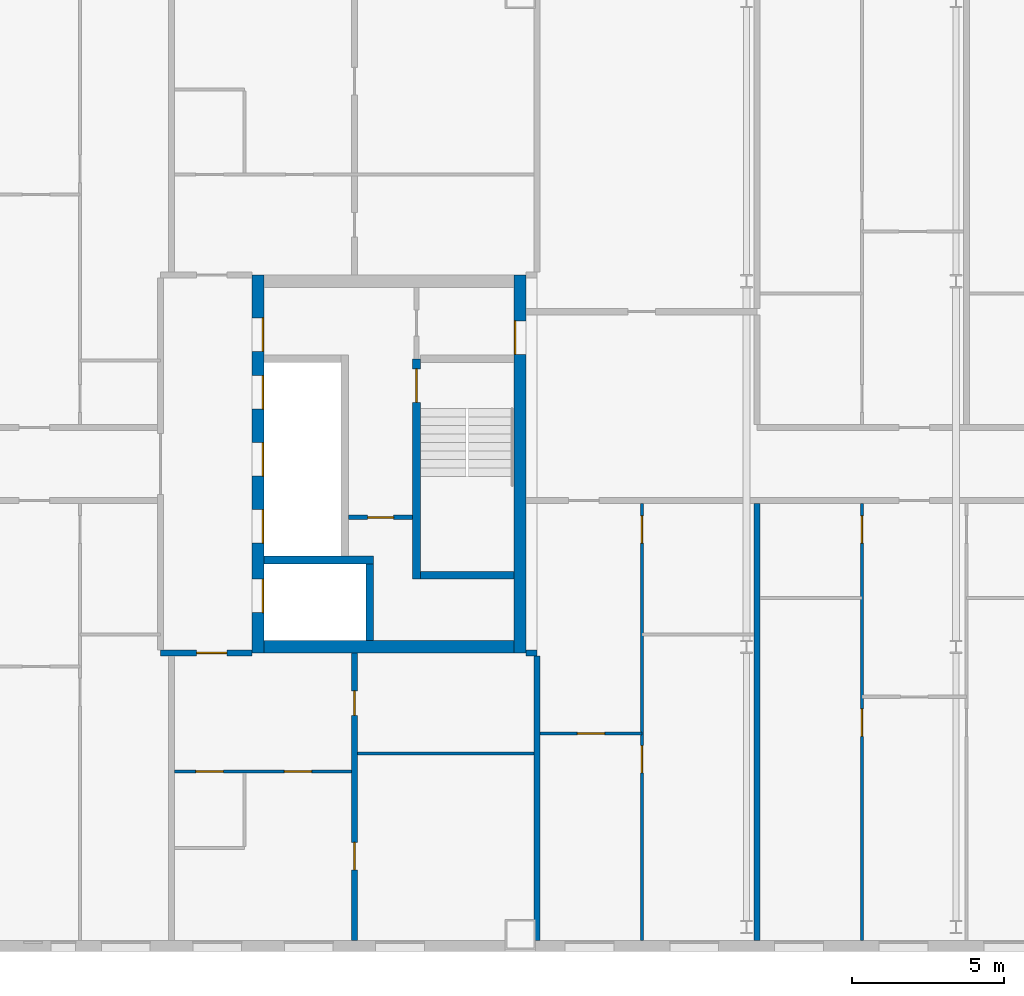
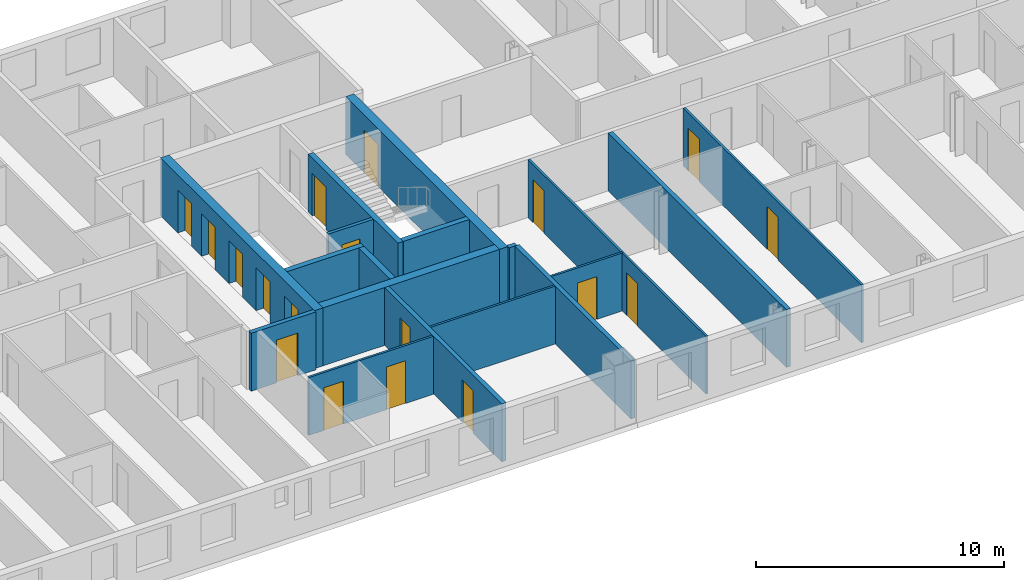
# One storey, part 8 of 19: 18 doors, 18 walls, 18 openings.
"""IFC4 building model written with IfcOpenShell, lengths in metres."""

from ifc_helpers import new_model, si_unit, direction, frame, frame_2d, origin, place, context, subcontext, project, spatial, rectangle, extrude, material, layer, layer_set, type_object, element, fill, save


model = new_model("IFC4")

# Units and contexts
model_context = context("Model", 3, precision=1e-05, world=origin(), true_north=direction((0.0, 1.0)))
body_context = subcontext(model_context, "Body", "Model", "MODEL_VIEW")
ifc_project = project(units=[si_unit("LENGTHUNIT", "METRE"), si_unit("AREAUNIT", "SQUARE_METRE"), si_unit("VOLUMEUNIT", "CUBIC_METRE"), si_unit("PLANEANGLEUNIT", "RADIAN"), si_unit("MASSUNIT", "GRAM", prefix="KILO")], contexts=[model_context])

# Site, building, storey
site_placement = place(None, origin())
site = spatial("IfcSite", under=ifc_project, at=site_placement, CompositionType="ELEMENT")
building_placement = place(site_placement, origin())
building = spatial("IfcBuilding", under=site, at=building_placement, Name="Tuart Gate Housing", CompositionType="ELEMENT")
storey_placement = place(building_placement, frame((0.0, 0.0, 227.60009765625)))
storey = spatial("IfcBuildingStorey", under=building, at=storey_placement, Name="L64", CompositionType="ELEMENT", Elevation=227.60009765625)

# Wall, opening, door
ifc_material_1 = material(Name="Plasterboard partition")
ifc_layer_1 = layer(ifc_material_1, 0.14990234375)
ifc_layer_set_1 = layer_set([ifc_layer_1], Name="Core partition 150")
wall_type_1 = type_object("IfcWallType", Name="Core partition 150", PredefinedType="PARTITIONING", material=ifc_layer_set_1)
wall_1_placement = place(storey_placement, frame((69.81494140625, 68.25, 0.0), z_axis=(0.0, 0.0, 1.0), x_axis=(1.0, 0.0, 0.0)))
wall_1 = element("IfcWall", 1, at=wall_1_placement, inside=storey, type_object=wall_type_1, Name="Core partition AG.3", PredefinedType="PARTITIONING", context=body_context, shape_type="SweptSolid", body=[
    extrude(rectangle(XDim=2.10009765625, YDim=0.14990234375, at=frame_2d((1.050048828125, 0.0))), origin(), (0.0, 0.0, 1.0), 2.849853515625),
])
opening_1_placement = place(wall_1_placement, frame((0.625, 0.0, 0.0)))
opening_1 = element("IfcOpeningElement", 2, at=opening_1_placement, cuts=wall_1, Name="Opening D2311", PredefinedType="OPENING", context=body_context, shape_type="SweptSolid", body=[
    extrude(rectangle(XDim=0.85009765625, YDim=2.10009765625, at=frame_2d((0.425048828125, 1.050048828125))), frame((0.0, 0.0849609375, 0.0), z_axis=(0.0, -1.0, 0.0), x_axis=(1.0, 0.0, 0.0)), (0.0, 0.0, 1.0), 0.169921875),
])
ifc_material_2 = material(Name="Steel fire door", Category="steel")
door_type_1 = type_object("IfcDoorType", Name="Riser door 850 x 2100 RH", OperationType="SINGLE_SWING_RIGHT", PredefinedType="DOOR", material=ifc_material_2)
door_1_placement = place(opening_1_placement, frame((0.85009765625, 0.0, 0.0), z_axis=(0.0, 0.0, 1.0), x_axis=(-1.0, 0.0, 0.0)))
door_1 = element("IfcDoor", 3, at=door_1_placement, inside=storey, type_object=door_type_1, Name="Service room door AG.E1", OperationType="SINGLE_SWING_RIGHT", OverallHeight=2.10009765625, OverallWidth=0.85009765625, PredefinedType="DOOR", context=body_context, shape_type="SweptSolid", body=[
    extrude(rectangle(XDim=0.85009765625, YDim=2.10009765625, at=frame_2d((0.425048828125, 1.050048828125))), frame((0.0, 0.025146484375, 0.0), z_axis=(0.0, -1.0, 0.0), x_axis=(1.0, 0.0, 0.0)), (0.0, 0.0, 1.0), 0.050048828125),
])
fill(opening_1, door_1)

# Walls
ifc_material_3 = material(Name="Concrete C40", Category="concrete")
ifc_layer_2 = layer(ifc_material_3, 0.25)
ifc_layer_set_2 = layer_set([ifc_layer_2], Name="Core wall 250 C40")
wall_type_2 = type_object("IfcWallType", Name="Core wall 250 C40", PredefinedType="SHEAR", material=ifc_layer_set_2)
wall_2_placement = place(storey_placement, frame((72.1650390625, 66.35009765625, 0.0), z_axis=(0.0, 0.0, 1.0), x_axis=(1.0, 0.0, 0.0)))
element("IfcWall", 4, at=wall_2_placement, inside=storey, type_object=wall_type_2, Name="Core wall AG.1", PredefinedType="SHEAR", context=body_context, shape_type="SweptSolid", body=[
    extrude(rectangle(XDim=3.074951171875, YDim=0.25, at=frame_2d((1.53759765625, 0.0))), origin(), (0.0, 0.0, 1.0), 2.849853515625),
])
wall_3_placement = place(storey_placement, frame((67.0400390625, 66.85009765625, 0.0), z_axis=(0.0, 0.0, 1.0), x_axis=(1.0, 0.0, 0.0)))
element("IfcWall", 5, at=wall_3_placement, inside=storey, type_object=wall_type_2, Name="Core wall AG.2", PredefinedType="SHEAR", context=body_context, shape_type="SweptSolid", body=[
    extrude(rectangle(XDim=3.594970703125, YDim=0.25, at=frame_2d((1.79736328125, 0.0))), origin(), (0.0, 0.0, 1.0), 2.849853515625),
])
wall_4_placement = place(storey_placement, frame((70.510009765625, 64.199951171875, 0.0), z_axis=(0.0, 0.0, 1.0), x_axis=(0.0, 1.0, 0.0)))
element("IfcWall", 6, at=wall_4_placement, inside=storey, type_object=wall_type_2, Name="Core wall AG.7", PredefinedType="SHEAR", context=body_context, shape_type="SweptSolid", body=[
    extrude(rectangle(XDim=2.525146484375, YDim=0.25, at=frame_2d((1.2626953125, 0.0))), origin(), (0.0, 0.0, 1.0), 2.849853515625),
])

# Wall, opening, door
wall_5_placement = place(storey_placement, frame((72.0400390625, 66.22509765625, 0.0), z_axis=(0.0, 0.0, 1.0), x_axis=(0.0, 1.0, 0.0)))
wall_5 = element("IfcWall", 7, at=wall_5_placement, inside=storey, type_object=wall_type_2, Name="Core wall AG.8", PredefinedType="SHEAR", context=body_context, shape_type="SweptSolid", body=[
    extrude(rectangle(XDim=7.224853515625, YDim=0.25, at=frame_2d((3.6123046875, 0.0))), origin(), (0.0, 0.0, 1.0), 2.849853515625),
])
opening_2_placement = place(wall_5_placement, frame((5.800048828125, 0.0, 0.0)))
opening_2 = element("IfcOpeningElement", 8, at=opening_2_placement, cuts=wall_5, Name="Opening D2307", PredefinedType="OPENING", context=body_context, shape_type="SweptSolid", body=[
    extrude(rectangle(XDim=1.10009765625, YDim=2.10009765625, at=frame_2d((0.550048828125, 1.050048828125))), frame((0.0, 0.135009765625, 0.0), z_axis=(0.0, -1.0, 0.0), x_axis=(1.0, 0.0, 0.0)), (0.0, 0.0, 1.0), 0.27001953125),
])
ifc_material_4 = material(Name="Steel fire door", Category="steel")
door_type_2 = type_object("IfcDoorType", Name="Stair door 1100 x 2100", OperationType="SINGLE_SWING_LEFT", PredefinedType="DOOR", material=ifc_material_4)
door_2_placement = place(opening_2_placement, frame((1.10009765625, 0.0, 0.0), z_axis=(0.0, 0.0, 1.0), x_axis=(-1.0, 0.0, 0.0)))
door_2 = element("IfcDoor", 9, at=door_2_placement, inside=storey, type_object=door_type_2, Name="Stair door AG.SD", OperationType="SINGLE_SWING_LEFT", OverallHeight=2.10009765625, OverallWidth=1.10009765625, PredefinedType="DOOR", context=body_context, shape_type="SweptSolid", body=[
    extrude(rectangle(XDim=1.10009765625, YDim=2.10009765625, at=frame_2d((0.550048828125, 1.050048828125))), frame((0.0, 0.025146484375, 0.0), z_axis=(0.0, -1.0, 0.0), x_axis=(1.0, 0.0, 0.0)), (0.0, 0.0, 1.0), 0.050048828125),
])
fill(opening_2, door_2)

# Wall, openings, doors
ifc_material_5 = material(Name="Concrete C40", Category="concrete")
ifc_layer_3 = layer(ifc_material_5, 0.39990234375)
ifc_layer_set_3 = layer_set([ifc_layer_3], Name="Core wall 400 C40")
wall_type_3 = type_object("IfcWallType", Name="Core wall 400 C40", PredefinedType="SHEAR", material=ifc_layer_set_3)
wall_6_placement = place(storey_placement, frame((66.840087890625, 63.800048828125, 0.0), z_axis=(0.0, 0.0, 1.0), x_axis=(0.0, 1.0, 0.0)))
wall_6 = element("IfcWall", 10, at=wall_6_placement, inside=storey, type_object=wall_type_3, Name="Core wall AG front", PredefinedType="SHEAR", context=body_context, shape_type="SweptSolid", body=[
    extrude(rectangle(XDim=12.39990234375, YDim=0.39990234375, at=frame_2d((6.199951171875, 0.0))), origin(), (0.0, 0.0, 1.0), 2.849853515625),
])
opening_3_placement = place(wall_6_placement, frame((1.324951171875, 0.0, 0.0)))
opening_3 = element("IfcOpeningElement", 11, at=opening_3_placement, cuts=wall_6, Name="Opening LD-FA1", PredefinedType="OPENING", context=body_context, shape_type="SweptSolid", body=[
    extrude(rectangle(XDim=1.10009765625, YDim=2.10009765625, at=frame_2d((0.550048828125, 1.050048828125))), frame((0.0, 0.2099609375, 0.0), z_axis=(0.0, -1.0, 0.0), x_axis=(1.0, 0.0, 0.0)), (0.0, 0.0, 1.0), 0.419921875),
])
opening_4_placement = place(wall_6_placement, frame((3.60009765625, 0.0, 0.0)))
opening_4 = element("IfcOpeningElement", 12, at=opening_4_placement, cuts=wall_6, Name="Opening LD-LA1", PredefinedType="OPENING", context=body_context, shape_type="SweptSolid", body=[
    extrude(rectangle(XDim=1.10009765625, YDim=2.10009765625, at=frame_2d((0.550048828125, 1.050048828125))), frame((0.0, 0.2099609375, 0.0), z_axis=(0.0, -1.0, 0.0), x_axis=(1.0, 0.0, 0.0)), (0.0, 0.0, 1.0), 0.419921875),
])
opening_5_placement = place(wall_6_placement, frame((5.800048828125, 0.0, 0.0)))
opening_5 = element("IfcOpeningElement", 13, at=opening_5_placement, cuts=wall_6, Name="Opening LD-LA2", PredefinedType="OPENING", context=body_context, shape_type="SweptSolid", body=[
    extrude(rectangle(XDim=1.10009765625, YDim=2.10009765625, at=frame_2d((0.550048828125, 1.050048828125))), frame((0.0, 0.2099609375, 0.0), z_axis=(0.0, -1.0, 0.0), x_axis=(1.0, 0.0, 0.0)), (0.0, 0.0, 1.0), 0.419921875),
])
opening_6_placement = place(wall_6_placement, frame((8.0, 0.0, 0.0)))
opening_6 = element("IfcOpeningElement", 14, at=opening_6_placement, cuts=wall_6, Name="Opening LD-LA3", PredefinedType="OPENING", context=body_context, shape_type="SweptSolid", body=[
    extrude(rectangle(XDim=1.10009765625, YDim=2.10009765625, at=frame_2d((0.550048828125, 1.050048828125))), frame((0.0, 0.2099609375, 0.0), z_axis=(0.0, -1.0, 0.0), x_axis=(1.0, 0.0, 0.0)), (0.0, 0.0, 1.0), 0.419921875),
])
opening_7_placement = place(wall_6_placement, frame((9.89990234375, 0.0, 0.0)))
opening_7 = element("IfcOpeningElement", 15, at=opening_7_placement, cuts=wall_6, Name="Opening D2305", PredefinedType="OPENING", context=body_context, shape_type="SweptSolid", body=[
    extrude(rectangle(XDim=1.10009765625, YDim=2.10009765625, at=frame_2d((0.550048828125, 1.050048828125))), frame((0.0, 0.2099609375, 0.0), z_axis=(0.0, -1.0, 0.0), x_axis=(1.0, 0.0, 0.0)), (0.0, 0.0, 1.0), 0.419921875),
])
ifc_material_6 = material(Name="Stainless steel", Category="steel")
door_type_3 = type_object("IfcDoorType", Name="Landing door 1100 x 2100", OperationType="DOUBLE_DOOR_SLIDING", PredefinedType="DOOR", material=ifc_material_6)
door_3_placement = place(opening_3_placement, origin())
door_3 = element("IfcDoor", 16, at=door_3_placement, inside=storey, type_object=door_type_3, Name="Lift landing door FA1", OperationType="DOUBLE_DOOR_SLIDING", OverallHeight=2.10009765625, OverallWidth=1.10009765625, PredefinedType="DOOR", context=body_context, shape_type="SweptSolid", body=[
    extrude(rectangle(XDim=1.10009765625, YDim=2.10009765625, at=frame_2d((0.550048828125, 1.050048828125))), frame((0.0, -0.134765625, 0.0), z_axis=(0.0, -1.0, 0.0), x_axis=(1.0, 0.0, 0.0)), (0.0, 0.0, 1.0), 0.050048828125),
])
fill(opening_3, door_3)
door_4_placement = place(opening_4_placement, origin())
door_4 = element("IfcDoor", 17, at=door_4_placement, inside=storey, type_object=door_type_3, Name="Lift landing door LA1", OperationType="DOUBLE_DOOR_SLIDING", OverallHeight=2.10009765625, OverallWidth=1.10009765625, PredefinedType="DOOR", context=body_context, shape_type="SweptSolid", body=[
    extrude(rectangle(XDim=1.10009765625, YDim=2.10009765625, at=frame_2d((0.550048828125, 1.050048828125))), frame((0.0, -0.134765625, 0.0), z_axis=(0.0, -1.0, 0.0), x_axis=(1.0, 0.0, 0.0)), (0.0, 0.0, 1.0), 0.050048828125),
])
fill(opening_4, door_4)
door_5_placement = place(opening_5_placement, origin())
door_5 = element("IfcDoor", 18, at=door_5_placement, inside=storey, type_object=door_type_3, Name="Lift landing door LA2", OperationType="DOUBLE_DOOR_SLIDING", OverallHeight=2.10009765625, OverallWidth=1.10009765625, PredefinedType="DOOR", context=body_context, shape_type="SweptSolid", body=[
    extrude(rectangle(XDim=1.10009765625, YDim=2.10009765625, at=frame_2d((0.550048828125, 1.050048828125))), frame((0.0, -0.134765625, 0.0), z_axis=(0.0, -1.0, 0.0), x_axis=(1.0, 0.0, 0.0)), (0.0, 0.0, 1.0), 0.050048828125),
])
fill(opening_5, door_5)
door_6_placement = place(opening_6_placement, origin())
door_6 = element("IfcDoor", 19, at=door_6_placement, inside=storey, type_object=door_type_3, Name="Lift landing door LA3", OperationType="DOUBLE_DOOR_SLIDING", OverallHeight=2.10009765625, OverallWidth=1.10009765625, PredefinedType="DOOR", context=body_context, shape_type="SweptSolid", body=[
    extrude(rectangle(XDim=1.10009765625, YDim=2.10009765625, at=frame_2d((0.550048828125, 1.050048828125))), frame((0.0, -0.134765625, 0.0), z_axis=(0.0, -1.0, 0.0), x_axis=(1.0, 0.0, 0.0)), (0.0, 0.0, 1.0), 0.050048828125),
])
fill(opening_6, door_6)
ifc_material_7 = material(Name="Steel fire door", Category="steel")
door_type_4 = type_object("IfcDoorType", Name="Lobby door 1100 x 2100 RH", OperationType="SINGLE_SWING_RIGHT", PredefinedType="DOOR", material=ifc_material_7)
door_7_placement = place(opening_7_placement, frame((1.10009765625, 0.0, 0.0), z_axis=(0.0, 0.0, 1.0), x_axis=(-1.0, 0.0, 0.0)))
door_7 = element("IfcDoor", 20, at=door_7_placement, inside=storey, type_object=door_type_4, Name="Lobby entry door AG.EN", OperationType="SINGLE_SWING_RIGHT", OverallHeight=2.10009765625, OverallWidth=1.10009765625, PredefinedType="DOOR", context=body_context, shape_type="SweptSolid", body=[
    extrude(rectangle(XDim=1.10009765625, YDim=2.10009765625, at=frame_2d((0.550048828125, 1.050048828125))), frame((0.0, 0.184814453125, 0.0), z_axis=(0.0, -1.0, 0.0), x_axis=(1.0, 0.0, 0.0)), (0.0, 0.0, 1.0), 0.050048828125),
])
fill(opening_7, door_7)

# Wall, opening, door
wall_7_placement = place(storey_placement, frame((75.43994140625, 63.800048828125, 0.0), z_axis=(0.0, 0.0, 1.0), x_axis=(0.0, 1.0, 0.0)))
wall_7 = element("IfcWall", 21, at=wall_7_placement, inside=storey, type_object=wall_type_3, Name="Core wall AG back", PredefinedType="SHEAR", context=body_context, shape_type="SweptSolid", body=[
    extrude(rectangle(XDim=12.39990234375, YDim=0.39990234375, at=frame_2d((6.199951171875, 0.0))), origin(), (0.0, 0.0, 1.0), 2.849853515625),
])
opening_8_placement = place(wall_7_placement, frame((9.800048828125, 0.0, 0.0)))
opening_8 = element("IfcOpeningElement", 22, at=opening_8_placement, cuts=wall_7, Name="Opening D2306", PredefinedType="OPENING", context=body_context, shape_type="SweptSolid", body=[
    extrude(rectangle(XDim=1.10009765625, YDim=2.10009765625, at=frame_2d((0.550048828125, 1.050048828125))), frame((0.0, 0.2099609375, 0.0), z_axis=(0.0, -1.0, 0.0), x_axis=(1.0, 0.0, 0.0)), (0.0, 0.0, 1.0), 0.419921875),
])
ifc_material_8 = material(Name="Steel fire door", Category="steel")
door_type_5 = type_object("IfcDoorType", Name="Lobby door 1100 x 2100", OperationType="SINGLE_SWING_LEFT", PredefinedType="DOOR", material=ifc_material_8)
door_8_placement = place(opening_8_placement, origin())
door_8 = element("IfcDoor", 23, at=door_8_placement, inside=storey, type_object=door_type_5, Name="Link door AG.LK", OperationType="SINGLE_SWING_LEFT", OverallHeight=2.10009765625, OverallWidth=1.10009765625, PredefinedType="DOOR", context=body_context, shape_type="SweptSolid", body=[
    extrude(rectangle(XDim=1.10009765625, YDim=2.10009765625, at=frame_2d((0.550048828125, 1.050048828125))), frame((0.0, 0.18505859375, 0.0), z_axis=(0.0, -1.0, 0.0), x_axis=(1.0, 0.0, 0.0)), (0.0, 0.0, 1.0), 0.050048828125),
])
fill(opening_8, door_8)

# Wall
wall_8_placement = place(storey_placement, frame((67.0400390625, 64.0, 0.0), z_axis=(0.0, 0.0, 1.0), x_axis=(1.0, 0.0, 0.0)))
element("IfcWall", 24, at=wall_8_placement, inside=storey, type_object=wall_type_3, Name="Core wall AG south", PredefinedType="SHEAR", context=body_context, shape_type="SweptSolid", body=[
    extrude(rectangle(XDim=8.199951171875, YDim=0.39990234375, at=frame_2d((4.10009765625, 0.0))), origin(), (0.0, 0.0, 1.0), 2.849853515625),
])

# Wall, opening, door
ifc_material_9 = material(Name="Concrete masonry 15 MPa", Category="masonry")
ifc_layer_4 = layer(ifc_material_9, 0.199951171875)
ifc_layer_set_4 = layer_set([ifc_layer_4], Name="Enclosure wall masonry 200")
wall_type_4 = type_object("IfcWallType", Name="Enclosure wall masonry 200", PredefinedType="PARTITIONING", material=ifc_layer_set_4)
wall_9_placement = place(storey_placement, frame((63.639892578125, 63.800048828125, 0.0), z_axis=(0.0, 0.0, 1.0), x_axis=(1.0, 0.0, 0.0)))
wall_9 = element("IfcWall", 25, at=wall_9_placement, inside=storey, type_object=wall_type_4, Name="Enclosure wall masonry 200", PredefinedType="PARTITIONING", context=body_context, shape_type="SweptSolid", body=[
    extrude(rectangle(XDim=3.0, YDim=0.199951171875, at=frame_2d((1.5, 0.0))), origin(), (0.0, 0.0, 1.0), 2.849853515625),
])
opening_9_placement = place(wall_9_placement, frame((1.179931640625, 0.0, 0.0)))
opening_9 = element("IfcOpeningElement", 26, at=opening_9_placement, cuts=wall_9, Name="Opening D2314", PredefinedType="OPENING", context=body_context, shape_type="SweptSolid", body=[
    extrude(rectangle(XDim=1.0, YDim=2.10009765625, at=frame_2d((0.5, 1.050048828125))), frame((0.0, 0.10986328125, 0.0), z_axis=(0.0, -1.0, 0.0), x_axis=(1.0, 0.0, 0.0)), (0.0, 0.0, 1.0), 0.219970703125),
])
ifc_material_10 = material(Name="Timber door leaf in steel frame", Category="steel")
door_type_6 = type_object("IfcDoorType", Name="Flat entrance door 1000 RH", OperationType="SINGLE_SWING_RIGHT", PredefinedType="DOOR", material=ifc_material_10)
door_9_placement = place(opening_9_placement, frame((1.0, 0.0, 0.0), z_axis=(0.0, 0.0, 1.0), x_axis=(-1.0, 0.0, 0.0)))
door_9 = element("IfcDoor", 27, at=door_9_placement, inside=storey, type_object=door_type_6, Name="Flat entrance door", OperationType="SINGLE_SWING_RIGHT", OverallHeight=2.10009765625, OverallWidth=1.0, PredefinedType="DOOR", context=body_context, shape_type="SweptSolid", body=[
    extrude(rectangle(XDim=1.0, YDim=2.10009765625, at=frame_2d((0.5, 1.050048828125))), frame((0.0, 0.025146484375, 0.0), z_axis=(0.0, -1.0, 0.0), x_axis=(1.0, 0.0, 0.0)), (0.0, 0.0, 1.0), 0.050048828125),
])
fill(opening_9, door_9)

# Wall, openings, doors
ifc_material_11 = material(Name="Gypsum board on steel studs", Category="steel")
ifc_layer_5 = layer(ifc_material_11, 0.10009765625)
ifc_layer_set_5 = layer_set([ifc_layer_5], Name="Partition 100")
wall_type_5 = type_object("IfcWallType", Name="Partition 100", PredefinedType="PARTITIONING", material=ifc_layer_set_5)
wall_10_placement = place(storey_placement, frame((64.10009765625, 59.89990234375, 0.0), z_axis=(0.0, 0.0, 1.0), x_axis=(1.0, 0.0, 0.0)))
wall_10 = element("IfcWall", 28, at=wall_10_placement, inside=storey, type_object=wall_type_5, Name="Partition 100", PredefinedType="PARTITIONING", context=body_context, shape_type="SweptSolid", body=[
    extrude(rectangle(XDim=5.7998046875, YDim=0.10009765625, at=frame_2d((2.89990234375, 0.0))), origin(), (0.0, 0.0, 1.0), 2.849853515625),
])
opening_10_placement = place(wall_10_placement, frame((3.60009765625, 0.0, 0.0)))
opening_10 = element("IfcOpeningElement", 29, at=opening_10_placement, cuts=wall_10, Name="Opening D2326", PredefinedType="OPENING", context=body_context, shape_type="SweptSolid", body=[
    extrude(rectangle(XDim=0.89990234375, YDim=2.10009765625, at=frame_2d((0.449951171875, 1.050048828125))), frame((0.0, 0.06005859375, 0.0), z_axis=(0.0, -1.0, 0.0), x_axis=(1.0, 0.0, 0.0)), (0.0, 0.0, 1.0), 0.1201171875),
])
opening_11_placement = place(wall_10_placement, frame((0.699951171875, 0.0, 0.0)))
opening_11 = element("IfcOpeningElement", 30, at=opening_11_placement, cuts=wall_10, Name="Opening D2325", PredefinedType="OPENING", context=body_context, shape_type="SweptSolid", body=[
    extrude(rectangle(XDim=0.89990234375, YDim=2.10009765625, at=frame_2d((0.449951171875, 1.050048828125))), frame((0.0, 0.06005859375, 0.0), z_axis=(0.0, -1.0, 0.0), x_axis=(1.0, 0.0, 0.0)), (0.0, 0.0, 1.0), 0.1201171875),
])
ifc_material_12 = material(Name="Timber door leaf in steel frame", Category="steel")
door_type_7 = type_object("IfcDoorType", Name="Bathroom door 900", OperationType="SINGLE_SWING_LEFT", PredefinedType="DOOR", material=ifc_material_12)
door_10_placement = place(opening_11_placement, frame((0.89990234375, 0.0, 0.0), z_axis=(0.0, 0.0, 1.0), x_axis=(-1.0, 0.0, 0.0)))
door_10 = element("IfcDoor", 31, at=door_10_placement, inside=storey, type_object=door_type_7, Name="Bathroom door", OperationType="SINGLE_SWING_LEFT", OverallHeight=2.10009765625, OverallWidth=0.89990234375, PredefinedType="DOOR", context=body_context, shape_type="SweptSolid", body=[
    extrude(rectangle(XDim=0.89990234375, YDim=2.10009765625, at=frame_2d((0.449951171875, 1.050048828125))), frame((0.0, 0.025146484375, 0.0), z_axis=(0.0, -1.0, 0.0), x_axis=(1.0, 0.0, 0.0)), (0.0, 0.0, 1.0), 0.050048828125),
])
fill(opening_11, door_10)
ifc_material_13 = material(Name="Timber door leaf in steel frame", Category="steel")
door_type_8 = type_object("IfcDoorType", Name="Internal door 900 RH", OperationType="SINGLE_SWING_RIGHT", PredefinedType="DOOR", material=ifc_material_13)
door_11_placement = place(opening_10_placement, origin())
door_11 = element("IfcDoor", 32, at=door_11_placement, inside=storey, type_object=door_type_8, Name="Internal door", OperationType="SINGLE_SWING_RIGHT", OverallHeight=2.10009765625, OverallWidth=0.89990234375, PredefinedType="DOOR", context=body_context, shape_type="SweptSolid", body=[
    extrude(rectangle(XDim=0.89990234375, YDim=2.10009765625, at=frame_2d((0.449951171875, 1.050048828125))), frame((0.0, 0.02490234375, 0.0), z_axis=(0.0, -1.0, 0.0), x_axis=(1.0, 0.0, 0.0)), (0.0, 0.0, 1.0), 0.050048828125),
])
fill(opening_10, door_11)

# Wall
wall_11_placement = place(storey_placement, frame((70.10009765625, 60.5, 0.0), z_axis=(0.0, 0.0, 1.0), x_axis=(1.0, 0.0, 0.0)))
element("IfcWall", 33, at=wall_11_placement, inside=storey, type_object=wall_type_5, Name="Partition 100", PredefinedType="PARTITIONING", context=body_context, shape_type="SweptSolid", body=[
    extrude(rectangle(XDim=5.7998046875, YDim=0.10009765625, at=frame_2d((2.89990234375, 0.0))), origin(), (0.0, 0.0, 1.0), 2.849853515625),
])

# Wall, opening, door
wall_12_placement = place(storey_placement, frame((76.10009765625, 61.159912109375, 0.0), z_axis=(0.0, 0.0, 1.0), x_axis=(1.0, 0.0, 0.0)))
wall_12 = element("IfcWall", 34, at=wall_12_placement, inside=storey, type_object=wall_type_5, Name="Partition 100", PredefinedType="PARTITIONING", context=body_context, shape_type="SweptSolid", body=[
    extrude(rectangle(XDim=3.337890625, YDim=0.10009765625, at=frame_2d((1.6689453125, 0.0))), origin(), (0.0, 0.0, 1.0), 2.849853515625),
])
opening_12_placement = place(wall_12_placement, frame((1.218994140625, 0.0, 0.0)))
opening_12 = element("IfcOpeningElement", 35, at=opening_12_placement, cuts=wall_12, Name="Opening D2388", PredefinedType="OPENING", context=body_context, shape_type="SweptSolid", body=[
    extrude(rectangle(XDim=0.89990234375, YDim=2.10009765625, at=frame_2d((0.449951171875, 1.050048828125))), frame((0.0, 0.06005859375, 0.0), z_axis=(0.0, -1.0, 0.0), x_axis=(1.0, 0.0, 0.0)), (0.0, 0.0, 1.0), 0.1201171875),
])
door_12_placement = place(opening_12_placement, origin())
door_12 = element("IfcDoor", 36, at=door_12_placement, inside=storey, type_object=door_type_8, Name="Internal door", OperationType="SINGLE_SWING_RIGHT", OverallHeight=2.10009765625, OverallWidth=0.89990234375, PredefinedType="DOOR", context=body_context, shape_type="SweptSolid", body=[
    extrude(rectangle(XDim=0.89990234375, YDim=2.10009765625, at=frame_2d((0.449951171875, 1.050048828125))), frame((0.0, 0.02490234375, 0.0), z_axis=(0.0, -1.0, 0.0), x_axis=(1.0, 0.0, 0.0)), (0.0, 0.0, 1.0), 0.050048828125),
])
fill(opening_12, door_12)

# Wall, openings, doors
wall_13_placement = place(storey_placement, frame((79.43798828125, 54.360107421875, 0.0), z_axis=(0.0, 0.0, 1.0), x_axis=(0.0, 1.0, 0.0)))
wall_13 = element("IfcWall", 37, at=wall_13_placement, inside=storey, type_object=wall_type_5, Name="Partition 100", PredefinedType="PARTITIONING", context=body_context, shape_type="SweptSolid", body=[
    extrude(rectangle(XDim=14.33984375, YDim=0.10009765625, at=frame_2d((7.169921875, 0.0))), origin(), (0.0, 0.0, 1.0), 2.849853515625),
])
opening_13_placement = place(wall_13_placement, frame((5.5, 0.0, 0.0)))
opening_13 = element("IfcOpeningElement", 38, at=opening_13_placement, cuts=wall_13, Name="Opening D2371", PredefinedType="OPENING", context=body_context, shape_type="SweptSolid", body=[
    extrude(rectangle(XDim=0.89990234375, YDim=2.10009765625, at=frame_2d((0.449951171875, 1.050048828125))), frame((0.0, 0.06005859375, 0.0), z_axis=(0.0, -1.0, 0.0), x_axis=(1.0, 0.0, 0.0)), (0.0, 0.0, 1.0), 0.1201171875),
])
opening_14_placement = place(wall_13_placement, frame((13.0400390625, 0.0, 0.0)))
opening_14 = element("IfcOpeningElement", 39, at=opening_14_placement, cuts=wall_13, Name="Opening D2370", PredefinedType="OPENING", context=body_context, shape_type="SweptSolid", body=[
    extrude(rectangle(XDim=0.89990234375, YDim=2.10009765625, at=frame_2d((0.449951171875, 1.050048828125))), frame((0.0, 0.06005859375, 0.0), z_axis=(0.0, -1.0, 0.0), x_axis=(1.0, 0.0, 0.0)), (0.0, 0.0, 1.0), 0.1201171875),
])
door_13_placement = place(opening_14_placement, frame((0.89990234375, 0.0, 0.0), z_axis=(0.0, 0.0, 1.0), x_axis=(-1.0, 0.0, 0.0)))
door_13 = element("IfcDoor", 40, at=door_13_placement, inside=storey, type_object=door_type_7, Name="Bathroom door", OperationType="SINGLE_SWING_LEFT", OverallHeight=2.10009765625, OverallWidth=0.89990234375, PredefinedType="DOOR", context=body_context, shape_type="SweptSolid", body=[
    extrude(rectangle(XDim=0.89990234375, YDim=2.10009765625, at=frame_2d((0.449951171875, 1.050048828125))), frame((0.0, 0.025146484375, 0.0), z_axis=(0.0, -1.0, 0.0), x_axis=(1.0, 0.0, 0.0)), (0.0, 0.0, 1.0), 0.050048828125),
])
fill(opening_14, door_13)
ifc_material_14 = material(Name="Timber door leaf in steel frame", Category="steel")
door_type_9 = type_object("IfcDoorType", Name="Internal door 900", OperationType="SINGLE_SWING_LEFT", PredefinedType="DOOR", material=ifc_material_14)
door_14_placement = place(opening_13_placement, frame((0.89990234375, 0.0, 0.0), z_axis=(0.0, 0.0, 1.0), x_axis=(-1.0, 0.0, 0.0)))
door_14 = element("IfcDoor", 41, at=door_14_placement, inside=storey, type_object=door_type_9, Name="Internal door", OperationType="SINGLE_SWING_LEFT", OverallHeight=2.10009765625, OverallWidth=0.89990234375, PredefinedType="DOOR", context=body_context, shape_type="SweptSolid", body=[
    extrude(rectangle(XDim=0.89990234375, YDim=2.10009765625, at=frame_2d((0.449951171875, 1.050048828125))), frame((0.0, 0.025146484375, 0.0), z_axis=(0.0, -1.0, 0.0), x_axis=(1.0, 0.0, 0.0)), (0.0, 0.0, 1.0), 0.050048828125),
])
fill(opening_13, door_14)

wall_14_placement = place(storey_placement, frame((86.662109375, 54.360107421875, 0.0), z_axis=(0.0, 0.0, 1.0), x_axis=(0.0, 1.0, 0.0)))
wall_14 = element("IfcWall", 42, at=wall_14_placement, inside=storey, type_object=wall_type_5, Name="Partition 100", PredefinedType="PARTITIONING", context=body_context, shape_type="SweptSolid", body=[
    extrude(rectangle(XDim=14.33984375, YDim=0.10009765625, at=frame_2d((7.169921875, 0.0))), origin(), (0.0, 0.0, 1.0), 2.849853515625),
])
opening_15_placement = place(wall_14_placement, frame((6.699951171875, 0.0, 0.0)))
opening_15 = element("IfcOpeningElement", 43, at=opening_15_placement, cuts=wall_14, Name="Opening D2373", PredefinedType="OPENING", context=body_context, shape_type="SweptSolid", body=[
    extrude(rectangle(XDim=0.89990234375, YDim=2.10009765625, at=frame_2d((0.449951171875, 1.050048828125))), frame((0.0, 0.06005859375, 0.0), z_axis=(0.0, -1.0, 0.0), x_axis=(1.0, 0.0, 0.0)), (0.0, 0.0, 1.0), 0.1201171875),
])
opening_16_placement = place(wall_14_placement, frame((13.0400390625, 0.0, 0.0)))
opening_16 = element("IfcOpeningElement", 44, at=opening_16_placement, cuts=wall_14, Name="Opening D2372", PredefinedType="OPENING", context=body_context, shape_type="SweptSolid", body=[
    extrude(rectangle(XDim=0.89990234375, YDim=2.10009765625, at=frame_2d((0.449951171875, 1.050048828125))), frame((0.0, 0.06005859375, 0.0), z_axis=(0.0, -1.0, 0.0), x_axis=(1.0, 0.0, 0.0)), (0.0, 0.0, 1.0), 0.1201171875),
])
ifc_material_15 = material(Name="Timber door leaf in steel frame", Category="steel")
door_type_10 = type_object("IfcDoorType", Name="Bathroom door 900 RH", OperationType="SINGLE_SWING_RIGHT", PredefinedType="DOOR", material=ifc_material_15)
door_15_placement = place(opening_16_placement, origin())
door_15 = element("IfcDoor", 45, at=door_15_placement, inside=storey, type_object=door_type_10, Name="Bathroom door", OperationType="SINGLE_SWING_RIGHT", OverallHeight=2.10009765625, OverallWidth=0.89990234375, PredefinedType="DOOR", context=body_context, shape_type="SweptSolid", body=[
    extrude(rectangle(XDim=0.89990234375, YDim=2.10009765625, at=frame_2d((0.449951171875, 1.050048828125))), frame((0.0, 0.02490234375, 0.0), z_axis=(0.0, -1.0, 0.0), x_axis=(1.0, 0.0, 0.0)), (0.0, 0.0, 1.0), 0.050048828125),
])
fill(opening_16, door_15)
door_16_placement = place(opening_15_placement, origin())
door_16 = element("IfcDoor", 46, at=door_16_placement, inside=storey, type_object=door_type_8, Name="Internal door", OperationType="SINGLE_SWING_RIGHT", OverallHeight=2.10009765625, OverallWidth=0.89990234375, PredefinedType="DOOR", context=body_context, shape_type="SweptSolid", body=[
    extrude(rectangle(XDim=0.89990234375, YDim=2.10009765625, at=frame_2d((0.449951171875, 1.050048828125))), frame((0.0, 0.02490234375, 0.0), z_axis=(0.0, -1.0, 0.0), x_axis=(1.0, 0.0, 0.0)), (0.0, 0.0, 1.0), 0.050048828125),
])
fill(opening_15, door_16)

ifc_material_16 = material(Name="Concrete C40", Category="concrete")
ifc_layer_6 = layer(ifc_material_16, 0.199951171875)
ifc_layer_set_6 = layer_set([ifc_layer_6], Name="Party wall concrete C40 200")
wall_type_6 = type_object("IfcWallType", Name="Party wall concrete C40 200", PredefinedType="SOLIDWALL", material=ifc_layer_set_6)
wall_15_placement = place(storey_placement, frame((70.0, 54.360107421875, 0.0), z_axis=(0.0, 0.0, 1.0), x_axis=(0.0, 1.0, 0.0)))
wall_15 = element("IfcWall", 47, at=wall_15_placement, inside=storey, type_object=wall_type_6, Name="Party wall concrete C40 200", PredefinedType="SOLIDWALL", context=body_context, shape_type="SweptSolid", body=[
    extrude(rectangle(XDim=9.43994140625, YDim=0.199951171875, at=frame_2d((4.719970703125, 0.0))), origin(), (0.0, 0.0, 1.0), 2.849853515625),
])
opening_17_placement = place(wall_15_placement, frame((2.320068359375, 0.0, 0.0)))
opening_17 = element("IfcOpeningElement", 48, at=opening_17_placement, cuts=wall_15, Name="Opening D2331", PredefinedType="OPENING", context=body_context, shape_type="SweptSolid", body=[
    extrude(rectangle(XDim=0.89990234375, YDim=2.10009765625, at=frame_2d((0.449951171875, 1.050048828125))), frame((0.0, 0.10986328125, 0.0), z_axis=(0.0, -1.0, 0.0), x_axis=(1.0, 0.0, 0.0)), (0.0, 0.0, 1.0), 0.219970703125),
])
opening_18_placement = place(wall_15_placement, frame((7.389892578125, 0.0, 0.0)))
opening_18 = element("IfcOpeningElement", 49, at=opening_18_placement, cuts=wall_15, Name="Opening D2332", PredefinedType="OPENING", context=body_context, shape_type="SweptSolid", body=[
    extrude(rectangle(XDim=0.800048828125, YDim=2.10009765625, at=frame_2d((0.39990234375, 1.050048828125))), frame((0.0, 0.10986328125, 0.0), z_axis=(0.0, -1.0, 0.0), x_axis=(1.0, 0.0, 0.0)), (0.0, 0.0, 1.0), 0.219970703125),
])
door_17_placement = place(opening_17_placement, frame((0.89990234375, 0.0, 0.0), z_axis=(0.0, 0.0, 1.0), x_axis=(-1.0, 0.0, 0.0)))
door_17 = element("IfcDoor", 50, at=door_17_placement, inside=storey, type_object=door_type_8, Name="Internal door", OperationType="SINGLE_SWING_RIGHT", OverallHeight=2.10009765625, OverallWidth=0.89990234375, PredefinedType="DOOR", context=body_context, shape_type="SweptSolid", body=[
    extrude(rectangle(XDim=0.89990234375, YDim=2.10009765625, at=frame_2d((0.449951171875, 1.050048828125))), frame((0.0, 0.025146484375, 0.0), z_axis=(0.0, -1.0, 0.0), x_axis=(1.0, 0.0, 0.0)), (0.0, 0.0, 1.0), 0.050048828125),
])
fill(opening_17, door_17)
ifc_material_17 = material(Name="Timber door leaf in steel frame", Category="steel")
door_type_11 = type_object("IfcDoorType", Name="Store door 800 RH", OperationType="SINGLE_SWING_RIGHT", PredefinedType="DOOR", material=ifc_material_17)
door_18_placement = place(opening_18_placement, frame((0.800048828125, 0.0, 0.0), z_axis=(0.0, 0.0, 1.0), x_axis=(-1.0, 0.0, 0.0)))
door_18 = element("IfcDoor", 51, at=door_18_placement, inside=storey, type_object=door_type_11, Name="Store door", OperationType="SINGLE_SWING_RIGHT", OverallHeight=2.10009765625, OverallWidth=0.800048828125, PredefinedType="DOOR", context=body_context, shape_type="SweptSolid", body=[
    extrude(rectangle(XDim=0.800048828125, YDim=2.10009765625, at=frame_2d((0.400146484375, 1.050048828125))), frame((0.0, 0.025146484375, 0.0), z_axis=(0.0, -1.0, 0.0), x_axis=(1.0, 0.0, 0.0)), (0.0, 0.0, 1.0), 0.050048828125),
])
fill(opening_18, door_18)

# Walls
ifc_material_18 = material(Name="Concrete masonry 15 MPa", Category="masonry")
ifc_layer_7 = layer(ifc_material_18, 0.199951171875)
ifc_layer_set_7 = layer_set([ifc_layer_7], Name="Party wall masonry 200")
wall_type_7 = type_object("IfcWallType", Name="Party wall masonry 200", PredefinedType="PARTITIONING", material=ifc_layer_set_7)
wall_16_placement = place(storey_placement, frame((75.639892578125, 63.800048828125, 0.0), z_axis=(0.0, 0.0, 1.0), x_axis=(1.0, 0.0, 0.0)))
element("IfcWall", 52, at=wall_16_placement, inside=storey, type_object=wall_type_7, Name="Party wall masonry 200", PredefinedType="PARTITIONING", context=body_context, shape_type="SweptSolid", body=[
    extrude(rectangle(XDim=0.360107421875, YDim=0.199951171875, at=frame_2d((0.18017578125, 0.0))), origin(), (0.0, 0.0, 1.0), 2.849853515625),
])
wall_17_placement = place(storey_placement, frame((76.0, 54.360107421875, 0.0), z_axis=(0.0, 0.0, 1.0), x_axis=(0.0, 1.0, 0.0)))
element("IfcWall", 53, at=wall_17_placement, inside=storey, type_object=wall_type_7, Name="Party wall masonry 200", PredefinedType="PARTITIONING", context=body_context, shape_type="SweptSolid", body=[
    extrude(rectangle(XDim=9.33984375, YDim=0.199951171875, at=frame_2d((4.669921875, 0.0))), origin(), (0.0, 0.0, 1.0), 2.849853515625),
])
wall_18_placement = place(storey_placement, frame((83.22509765625, 54.360107421875, 0.0), z_axis=(0.0, 0.0, 1.0), x_axis=(0.0, 1.0, 0.0)))
element("IfcWall", 54, at=wall_18_placement, inside=storey, type_object=wall_type_7, Name="Party wall masonry 200", PredefinedType="PARTITIONING", context=body_context, shape_type="SweptSolid", body=[
    extrude(rectangle(XDim=14.33984375, YDim=0.199951171875, at=frame_2d((7.169921875, 0.0))), origin(), (0.0, 0.0, 1.0), 2.849853515625),
])

save(model, "model.ifc")
